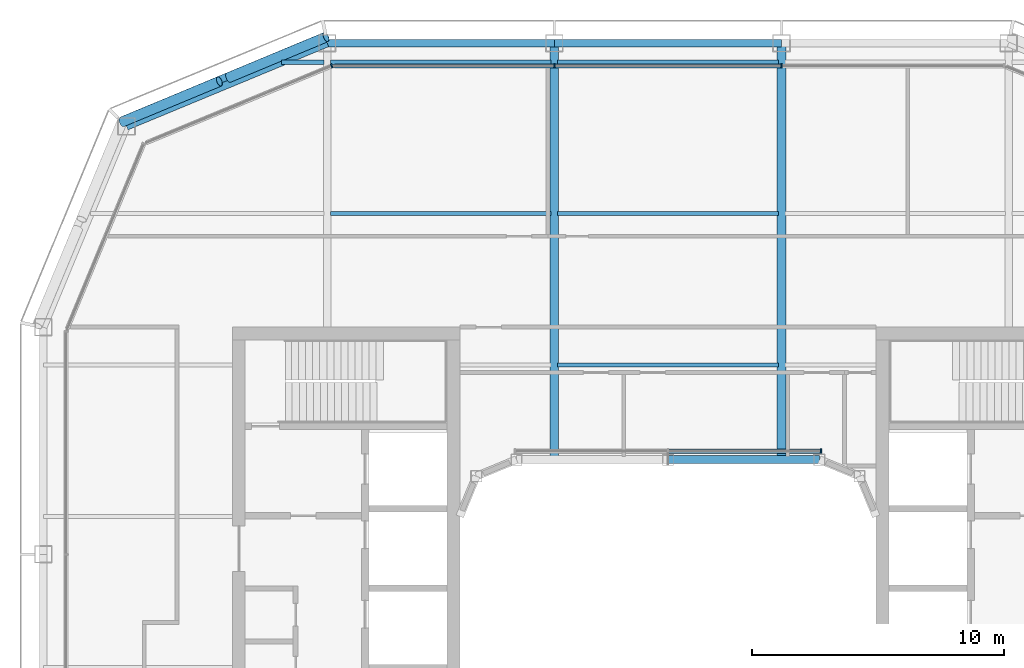
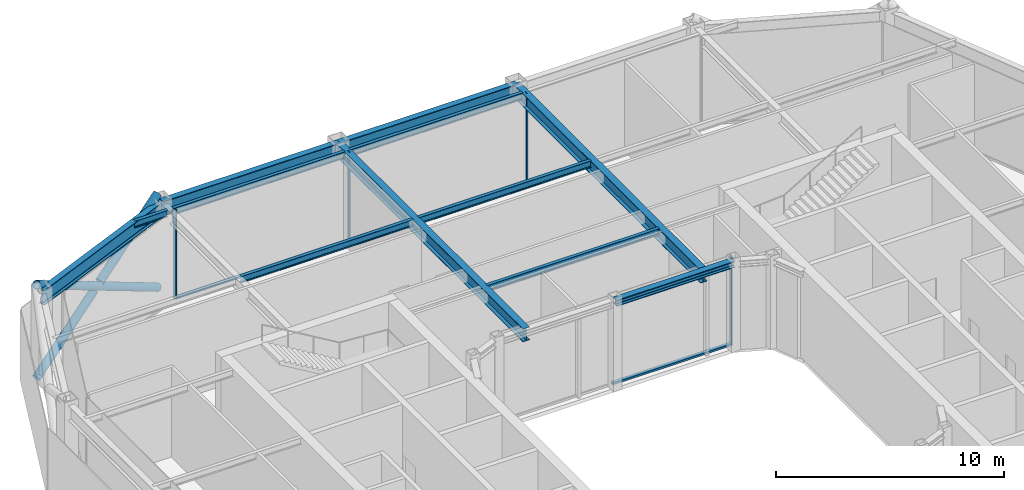
# One storey, part 8 of 17: 12 beams, 10 members, 3 elements without a shape of their own.
"""IFC4 building model written with IfcOpenShell, lengths in metres."""

from ifc_helpers import new_model, si_unit, direction, frame, origin, origin_2d, place, context, subcontext, project, spatial, rectangle, hollow_circle, i_section, extrude, material, layer, layer_set, material_profile, profile_set, type_object, element, aggregate, save


model = new_model("IFC4")

# Units and contexts
model_context = context("Model", 3, precision=1e-05, world=origin(), true_north=direction((0.0, 1.0)))
body_context = subcontext(model_context, "Body", "Model", "MODEL_VIEW")
ifc_project = project(units=[si_unit("LENGTHUNIT", "METRE"), si_unit("AREAUNIT", "SQUARE_METRE"), si_unit("VOLUMEUNIT", "CUBIC_METRE"), si_unit("PLANEANGLEUNIT", "RADIAN"), si_unit("MASSUNIT", "GRAM", prefix="KILO")], contexts=[model_context])

# Site, building, storey
site_placement = place(None, origin())
site = spatial("IfcSite", under=ifc_project, at=site_placement, CompositionType="ELEMENT")
building_placement = place(site_placement, origin())
building = spatial("IfcBuilding", under=site, at=building_placement, Name="Siwar Civic Tower", CompositionType="ELEMENT")
storey_placement = place(building_placement, frame((0.0, 0.0, 348.199951171875)))
storey = spatial("IfcBuildingStorey", under=building, at=storey_placement, Name="L75", CompositionType="ELEMENT", Elevation=348.199951171875)

# Curtain wall, members
ifc_material_1 = material(Name="Aluminium and glass", Category="aluminium")
ifc_layer_1 = layer(ifc_material_1, 0.159912109375)
ifc_layer_set_1 = layer_set([ifc_layer_1], Name="Aluminium and glass")
curtain_wall_type_1 = type_object("IfcCurtainWallType", Name="ENV-CW-D", PredefinedType="NOTDEFINED", material=ifc_layer_set_1)
curtain_wall_1_placement = place(storey_placement, origin())
curtain_wall_1 = element("IfcCurtainWall", 1, at=curtain_wall_1_placement, inside=storey, type_object=curtain_wall_type_1, Name="Curtain wall D N", PredefinedType="NOTDEFINED")
ifc_material_2 = material(Name="Aluminium 6063-T6", Category="aluminium")
ifc_material_profile_1 = material_profile(ifc_material_2, rectangle(XDim=0.159912109375, YDim=0.06005859375, at=origin_2d()), Name="AL 160x60")
ifc_profile_set_1 = profile_set([ifc_material_profile_1], Name="Aluminium 6063-T6")
member_type_1 = type_object("IfcMemberType", Name="ENV-MULLION-D", PredefinedType="MULLION", material=ifc_profile_set_1)
member_1_placement = place(storey_placement, frame((4.5, 23.85009765625, 0.0), z_axis=(0.0, 0.0, 1.0), x_axis=(0.0, -1.0, 0.0)))
member_1 = element("IfcMember", 2, at=member_1_placement, type_object=member_type_1, Name="Mullion D N 2", PredefinedType="MULLION", context=body_context, shape_type="SweptSolid", body=[
    extrude(rectangle(XDim=0.159912109375, YDim=0.06005859375, at=origin_2d()), origin(), (0.0, 0.0, 1.0), 4.800048828125),
])
member_2_placement = place(storey_placement, frame((-4.5, 23.85009765625, 0.0), z_axis=(0.0, 0.0, 1.0), x_axis=(0.0, -1.0, 0.0)))
member_2 = element("IfcMember", 3, at=member_2_placement, type_object=member_type_1, Name="Mullion D N 3", PredefinedType="MULLION", context=body_context, shape_type="SweptSolid", body=[
    extrude(rectangle(XDim=0.159912109375, YDim=0.06005859375, at=origin_2d()), origin(), (0.0, 0.0, 1.0), 4.800048828125),
])

# Curtain wall, member
ifc_material_3 = material(Name="Aluminium clad insulated panel", Category="aluminium")
ifc_layer_2 = layer(ifc_material_3, 0.159912109375)
ifc_layer_set_2 = layer_set([ifc_layer_2], Name="Aluminium clad insulated panel")
curtain_wall_type_2 = type_object("IfcCurtainWallType", Name="ENV-CW-DX", PredefinedType="NOTDEFINED", material=ifc_layer_set_2)
curtain_wall_2_placement = place(storey_placement, origin())
curtain_wall_2 = element("IfcCurtainWall", 4, at=curtain_wall_2_placement, inside=storey, type_object=curtain_wall_type_2, Name="Curtain wall D NW1", PredefinedType="NOTDEFINED")
member_3_placement = place(storey_placement, frame((-13.321044921875, 23.85009765625, 0.0), z_axis=(0.0, 0.0, 1.0), x_axis=(0.382683432365, -0.923879532511, 0.0)))
member_3 = element("IfcMember", 5, at=member_3_placement, type_object=member_type_1, Name="Mullion D NW1 1", PredefinedType="MULLION", context=body_context, shape_type="SweptSolid", body=[
    extrude(rectangle(XDim=0.159912109375, YDim=0.06005859375, at=origin_2d()), origin(), (0.0, 0.0, 1.0), 4.800048828125),
])
aggregate(curtain_wall_2, [member_3])

ifc_material_4 = material(Name="Aluminium and glass", Category="aluminium")
ifc_layer_3 = layer(ifc_material_4, 0.179931640625)
ifc_layer_set_3 = layer_set([ifc_layer_3], Name="Aluminium and glass")
curtain_wall_type_3 = type_object("IfcCurtainWallType", Name="ENV-CW-W", PredefinedType="NOTDEFINED", material=ifc_layer_set_3)
curtain_wall_3_placement = place(storey_placement, origin())
curtain_wall_3 = element("IfcCurtainWall", 6, at=curtain_wall_3_placement, inside=storey, type_object=curtain_wall_type_3, Name="Curtain wall W WN", PredefinedType="NOTDEFINED")
ifc_material_5 = material(Name="Aluminium 6063-T6", Category="aluminium")
ifc_material_profile_2 = material_profile(ifc_material_5, rectangle(XDim=0.179931640625, YDim=0.06005859375, at=origin_2d()), Name="AL 180x60")
ifc_profile_set_2 = profile_set([ifc_material_profile_2], Name="Aluminium 6063-T6")
member_type_2 = type_object("IfcMemberType", Name="ENV-MULLION-W", PredefinedType="MULLION", material=ifc_profile_set_2)
member_4_placement = place(storey_placement, frame((6.066650390625, 8.5849609375, 0.0), z_axis=(0.0, 0.0, 1.0), x_axis=(0.0, -1.0, 0.0)))
member_4 = element("IfcMember", 7, at=member_4_placement, type_object=member_type_2, Name="Mullion W WN 1", PredefinedType="MULLION", context=body_context, shape_type="SweptSolid", body=[
    extrude(rectangle(XDim=0.179931640625, YDim=0.06005859375, at=origin_2d()), origin(), (0.0, 0.0, 1.0), 4.800048828125),
])

# Member
ifc_material_6 = material(Name="Aluminium 6063-T6", Category="aluminium")
ifc_material_profile_3 = material_profile(ifc_material_6, rectangle(XDim=0.159912109375, YDim=0.10009765625, at=origin_2d()), Name="AL 160x100")
ifc_profile_set_3 = profile_set([ifc_material_profile_3], Name="Aluminium 6063-T6")
member_type_3 = type_object("IfcMemberType", Name="ENV-TRANSOM-D", PredefinedType="USERDEFINED", material=ifc_profile_set_3)
member_5_placement = place(storey_placement, frame((4.469970703125, 23.85009765625, 0.050048828125), z_axis=(-1.0, 0.0, 0.0), x_axis=(0.0, -1.0, 0.0)))
member_5 = element("IfcMember", 8, at=member_5_placement, type_object=member_type_3, Name="Transom D N 2", ObjectType="TRANSOM", PredefinedType="USERDEFINED", context=body_context, shape_type="SweptSolid", body=[
    extrude(rectangle(XDim=0.159912109375, YDim=0.10009765625, at=origin_2d()), origin(), (0.0, 0.0, 1.0), 8.93994140625),
])

member_6_placement = place(storey_placement, frame((-4.530029296875, 23.85009765625, 0.050048828125), z_axis=(-1.0, 0.0, 0.0), x_axis=(0.0, -1.0, 0.0)))
member_6 = element("IfcMember", 9, at=member_6_placement, type_object=member_type_3, Name="Transom D N 3", ObjectType="TRANSOM", PredefinedType="USERDEFINED", context=body_context, shape_type="SweptSolid", body=[
    extrude(rectangle(XDim=0.159912109375, YDim=0.10009765625, at=origin_2d()), origin(), (0.0, 0.0, 1.0), 8.693115234375),
])

aggregate(curtain_wall_1, [member_1, member_2, member_5, member_6])

ifc_material_7 = material(Name="Aluminium 6063-T6", Category="aluminium")
ifc_material_profile_4 = material_profile(ifc_material_7, rectangle(XDim=0.179931640625, YDim=0.10009765625, at=origin_2d()), Name="AL 180x100")
ifc_profile_set_4 = profile_set([ifc_material_profile_4], Name="Aluminium 6063-T6")
member_type_4 = type_object("IfcMemberType", Name="ENV-TRANSOM-W", PredefinedType="USERDEFINED", material=ifc_profile_set_4)
member_7_placement = place(storey_placement, frame((6.03662109375, 8.5849609375, 0.050048828125), z_axis=(-1.0, 0.0, 0.0), x_axis=(0.0, -1.0, 0.0)))
member_7 = element("IfcMember", 10, at=member_7_placement, type_object=member_type_4, Name="Transom W WN 1", ObjectType="TRANSOM", PredefinedType="USERDEFINED", context=body_context, shape_type="SweptSolid", body=[
    extrude(rectangle(XDim=0.179931640625, YDim=0.10009765625, at=origin_2d()), origin(), (0.0, 0.0, 1.0), 6.006591796875),
])

aggregate(curtain_wall_3, [member_4, member_7])

# Members
ifc_material_8 = material(Name="Steel S355", Category="steel")
ifc_material_profile_5 = material_profile(ifc_material_8, hollow_circle(Radius=0.203125, WallThickness=0.01611328125, at=origin_2d()), Name="CHS406.4x16")
ifc_profile_set_5 = profile_set([ifc_material_profile_5], Name="Steel S355")
member_type_5 = type_object("IfcMemberType", Name="STR-BR-CHS406.4x16", PredefinedType="BRACE", material=ifc_profile_set_5)
member_8_placement = place(storey_placement, frame((-13.548828125, 24.9951171875, 0.0), z_axis=(-0.801726811989, -0.333592743807, 0.495933463499), x_axis=(0.384163874976, -0.923264922524, 0.0)))
element("IfcMember", 11, at=member_8_placement, inside=storey, type_object=member_type_5, Name="L75/brc/DNW1-14-0-0", PredefinedType="BRACE", context=body_context, shape_type="SweptSolid", body=[
    extrude(hollow_circle(Radius=0.203125, WallThickness=0.01611328125, at=origin_2d()), origin(), (0.0, 0.0, 1.0), 10.08203125),
])
for number, where, z_axis, x_axis, name in (
    (12, (-21.6318359375, 21.6318359375, 0.0), (0.801737302644, 0.333566570839, 0.495934108897), (-0.384133897361, 0.923277395422, 0.0), "L75/brc/DNW1-14-0-4"),
    (13, (-17.405029296875, 23.390380859375, 2.614501953125), (0.80170559549, 0.333625253508, 0.495945892595), (-0.384204453742, 0.923248036946, 0.0), "L75/brc/DNW1-14-0-5"),
):
    element("IfcMember", number, at=place(storey_placement, frame(where, z_axis=z_axis, x_axis=x_axis)), inside=storey, type_object=member_type_5, Name=name, PredefinedType="BRACE", context=body_context, shape_type="SweptSolid", body=[
        extrude(hollow_circle(Radius=0.203125, WallThickness=0.01611328125, at=origin_2d()), origin(), (0.0, 0.0, 1.0), 4.81005859375),
    ])

# Beams
ifc_material_9 = material(Name="Steel S355", Category="steel")
ifc_material_profile_6 = material_profile(ifc_material_9, i_section(OverallWidth=0.169921875, OverallDepth=0.360107421875, WebThickness=0.008056640625, FlangeThickness=0.0126953125, FilletRadius=0.01806640625, at=origin_2d()), Name="IPE360")
ifc_profile_set_6 = profile_set([ifc_material_profile_6], Name="Steel S355")
beam_type_1 = type_object("IfcBeamType", Name="STR-FB-IPE360", PredefinedType="JOIST", material=ifc_profile_set_6)
for number, where, z_axis, x_axis, name in (
    (14, (-4.3701171875, 12.0, 4.6201171875), (1.0, 0.0, 0.0), (0.0, 1.0, 0.0), "L75/bm/F024"),
    (15, (-13.3701171875, 18.0, 4.6201171875), (1.0, 0.0, 0.0), (0.0, 1.0, 0.0), "L75/bm/F028"),
    (16, (-4.3701171875, 18.0, 4.6201171875), (1.0, 0.0, 0.0), (0.0, 1.0, 0.0), "L75/bm/F029"),
):
    element("IfcBeam", number, at=place(storey_placement, frame(where, z_axis=z_axis, x_axis=x_axis)), inside=storey, type_object=beam_type_1, Name=name, PredefinedType="JOIST", context=body_context, shape_type="SweptSolid", body=[
        extrude(i_section(OverallWidth=0.169921875, OverallDepth=0.360107421875, WebThickness=0.008056640625, FlangeThickness=0.0126953125, FilletRadius=0.01806640625, at=origin_2d()), origin(), (0.0, 0.0, 1.0), 8.740234375),
    ])
beam_1_placement = place(storey_placement, frame((-15.310546875, 24.0, 4.6201171875), z_axis=(1.0, 0.0, 0.0), x_axis=(0.0, 1.0, 0.0)))
element("IfcBeam", 17, at=beam_1_placement, inside=storey, type_object=beam_type_1, Name="L75/bm/F032", PredefinedType="JOIST", context=body_context, shape_type="SweptSolid", body=[
    extrude(i_section(OverallWidth=0.169921875, OverallDepth=0.360107421875, WebThickness=0.008056640625, FlangeThickness=0.0126953125, FilletRadius=0.01806640625, at=origin_2d()), origin(), (0.0, 0.0, 1.0), 1.6806640625),
])
for number, where, z_axis, x_axis, name in (
    (18, (-13.3701171875, 24.0, 4.6201171875), (1.0, 0.0, 0.0), (0.0, 1.0, 0.0), "L75/bm/F033"),
    (19, (-4.3701171875, 24.0, 4.6201171875), (1.0, 0.0, 0.0), (0.0, 1.0, 0.0), "L75/bm/F034"),
):
    element("IfcBeam", number, at=place(storey_placement, frame(where, z_axis=z_axis, x_axis=x_axis)), inside=storey, type_object=beam_type_1, Name=name, PredefinedType="JOIST", context=body_context, shape_type="SweptSolid", body=[
        extrude(i_section(OverallWidth=0.169921875, OverallDepth=0.360107421875, WebThickness=0.008056640625, FlangeThickness=0.0126953125, FilletRadius=0.01806640625, at=origin_2d()), origin(), (0.0, 0.0, 1.0), 8.740234375),
    ])
ifc_material_10 = material(Name="Steel S355", Category="steel")
ifc_material_profile_7 = material_profile(ifc_material_10, i_section(OverallWidth=0.340087890625, OverallDepth=0.699951171875, WebThickness=0.013916015625, FlangeThickness=0.030029296875, at=origin_2d()), Name="PG700x340x14x30")
ifc_profile_set_7 = profile_set([ifc_material_profile_7], Name="Steel S355")
beam_type_2 = type_object("IfcBeamType", Name="STR-PG-PG700x340x14x30", PredefinedType="BEAM", material=ifc_profile_set_7)
for number, where, z_axis, x_axis, name in (
    (20, (-4.5, 8.25, 4.449951171875), (0.0, 1.0, 0.0), (-1.0, 0.0, 0.0), "L75/bm/G04"),
    (21, (4.5, 8.25, 4.449951171875), (0.0, 1.0, 0.0), (-1.0, 0.0, 0.0), "L75/bm/G06"),
):
    element("IfcBeam", number, at=place(storey_placement, frame(where, z_axis=z_axis, x_axis=x_axis)), inside=storey, type_object=beam_type_2, Name=name, PredefinedType="BEAM", context=body_context, shape_type="SweptSolid", body=[
        extrude(i_section(OverallWidth=0.340087890625, OverallDepth=0.699951171875, WebThickness=0.013916015625, FlangeThickness=0.030029296875, at=origin_2d()), origin(), (0.0, 0.0, 1.0), 16.5),
    ])
ifc_material_11 = material(Name="Steel S355", Category="steel")
ifc_material_profile_8 = material_profile(ifc_material_11, i_section(OverallWidth=0.31005859375, OverallDepth=0.340087890625, WebThickness=0.02099609375, FlangeThickness=0.0390625, FilletRadius=0.027099609375, at=origin_2d()), Name="HEM300")
ifc_profile_set_8 = profile_set([ifc_material_profile_8], Name="Steel S355")
beam_type_3 = type_object("IfcBeamType", Name="STR-RB-HEM300", PredefinedType="BEAM", material=ifc_profile_set_8)
beam_2_placement = place(storey_placement, frame((0.0, 8.25, 4.630126953125), z_axis=(1.0, 0.0, 0.0), x_axis=(0.0, 1.0, 0.0)))
element("IfcBeam", 22, at=beam_2_placement, inside=storey, type_object=beam_type_3, Name="L75/bm/RN2", PredefinedType="BEAM", context=body_context, shape_type="SweptSolid", body=[
    extrude(i_section(OverallWidth=0.31005859375, OverallDepth=0.340087890625, WebThickness=0.02099609375, FlangeThickness=0.0390625, FilletRadius=0.027099609375, at=origin_2d()), origin(), (0.0, 0.0, 1.0), 6.0),
])
ifc_material_12 = material(Name="Steel S355", Category="steel")
ifc_material_profile_9 = material_profile(ifc_material_12, i_section(OverallWidth=0.300048828125, OverallDepth=0.800048828125, WebThickness=0.017578125, FlangeThickness=0.032958984375, FilletRadius=0.030029296875, at=origin_2d()), Name="HEB800")
ifc_profile_set_9 = profile_set([ifc_material_profile_9], Name="Steel S355")
beam_type_4 = type_object("IfcBeamType", Name="STR-SB-HEB800", PredefinedType="BEAM", material=ifc_profile_set_9)
for number, where, z_axis, x_axis, name in (
    (23, (4.5, 24.75, 4.400146484375), (-1.0, 0.0, 0.0), (0.0, -1.0, 0.0), "L75/bm/SN-1"),
    (24, (-4.5, 24.75, 4.400146484375), (-1.0, 0.0, 0.0), (0.0, -1.0, 0.0), "L75/bm/SN-2"),
):
    element("IfcBeam", number, at=place(storey_placement, frame(where, z_axis=z_axis, x_axis=x_axis)), inside=storey, type_object=beam_type_4, Name=name, PredefinedType="BEAM", context=body_context, shape_type="SweptSolid", body=[
        extrude(i_section(OverallWidth=0.300048828125, OverallDepth=0.800048828125, WebThickness=0.017578125, FlangeThickness=0.032958984375, FilletRadius=0.030029296875, at=origin_2d()), origin(), (0.0, 0.0, 1.0), 9.0),
    ])
beam_3_placement = place(storey_placement, frame((-13.5, 24.75, 4.400146484375), z_axis=(-0.923872720536, -0.382699877515, 0.0), x_axis=(0.382699877515, -0.923872720536, 0.0)))
element("IfcBeam", 25, at=beam_3_placement, inside=storey, type_object=beam_type_4, Name="L75/bm/SNW1-0", PredefinedType="BEAM", context=body_context, shape_type="SweptSolid", body=[
    extrude(i_section(OverallWidth=0.300048828125, OverallDepth=0.800048828125, WebThickness=0.017578125, FlangeThickness=0.032958984375, FilletRadius=0.030029296875, at=origin_2d()), origin(), (0.0, 0.0, 1.0), 8.6103515625),
])

save(model, "model.ifc")
